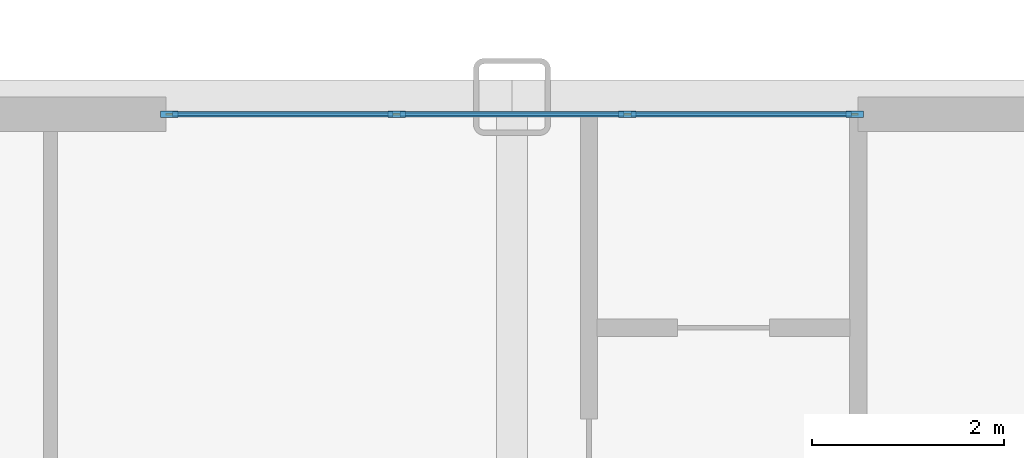
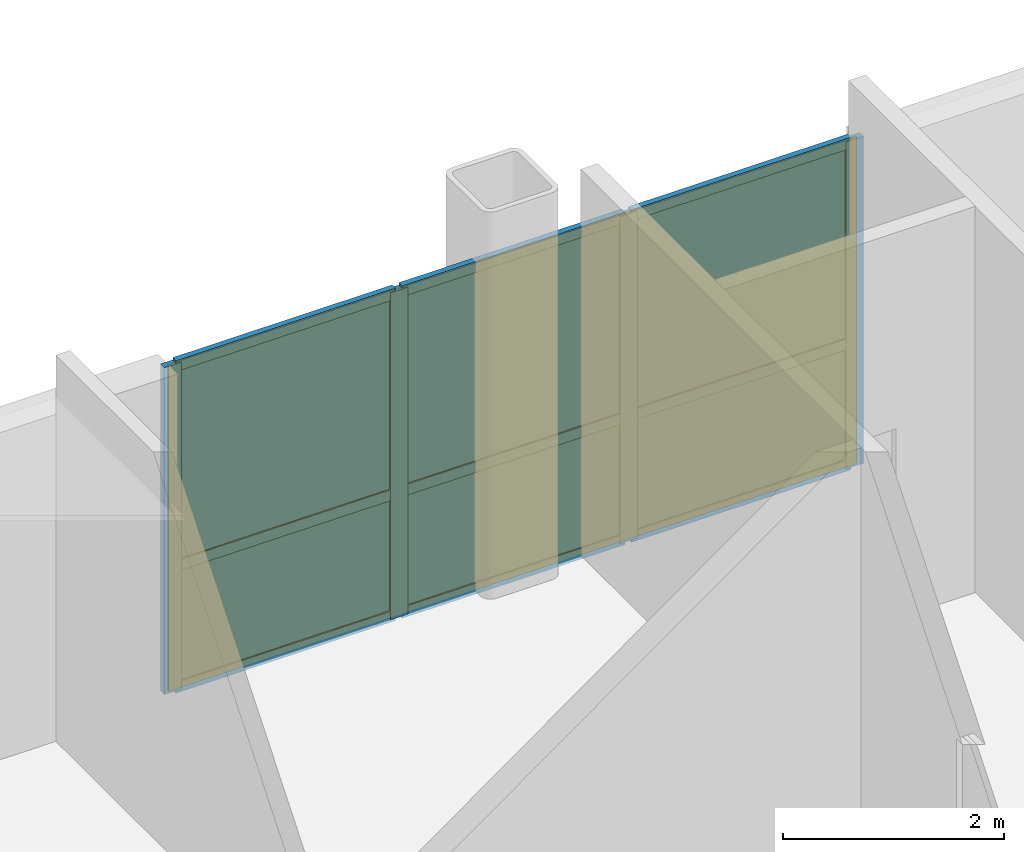
# One storey, part 11 of 15: 13 members, 6 plates, 1 curtain wall.
"""IFC4 building model written with IfcOpenShell, lengths in metres."""

from ifc_helpers import new_model, si_unit, direction, frame, frame_2d, origin, origin_2d, place, context, subcontext, project, spatial, rectangle, extrude, source, transform, mapped, material, layer, layer_set, material_profile, profile_set, type_object, type_shapes, element, aggregate, save


model = new_model("IFC4")

# Units and contexts
model_context = context("Model", 3, precision=1e-05, world=origin(), true_north=direction((0.0, 1.0)))
body_context = subcontext(model_context, "Body", "Model", "MODEL_VIEW")
ifc_project = project(units=[si_unit("LENGTHUNIT", "METRE"), si_unit("AREAUNIT", "SQUARE_METRE"), si_unit("VOLUMEUNIT", "CUBIC_METRE"), si_unit("PLANEANGLEUNIT", "RADIAN"), si_unit("MASSUNIT", "GRAM", prefix="KILO")], contexts=[model_context])

# Member
ifc_material_1 = material(Name="Anodised aluminium 6063-T6", Category="aluminium")
ifc_material_profile_1 = material_profile(ifc_material_1, rectangle(XDim=0.070068359375, YDim=0.179931640625, at=origin_2d()), Name="ALU-MULL-70x180")
ifc_profile_set_1 = profile_set([ifc_material_profile_1], Name="Anodised aluminium 6063-T6")
member_type_1 = type_object("IfcMemberType", Name="CWM-2", PredefinedType="MULLION", material=ifc_profile_set_1)
site_placement = place(None, origin())
building_placement = place(site_placement, origin())
storey_placement = place(building_placement, frame((0.0, 0.0, 4.60009765625)))
member_1_placement = place(storey_placement, frame((15.43505859375, 25.820068359375, 0.0), z_axis=(0.0, 0.0, 1.0), x_axis=(0.0, 1.0, 0.0)))
member_1 = element("IfcMember", 1, at=member_1_placement, type_object=member_type_1, Name="CWS-2 mullion 1", PredefinedType="MULLION", context=body_context, shape_type="SweptSolid", body=[
    extrude(rectangle(XDim=0.070068359375, YDim=0.179931640625, at=origin_2d()), origin(), (0.0, 0.0, 1.0), 3.614990234375),
])

member_2_placement = place(storey_placement, frame((17.800048828125, 25.820068359375, 0.0), z_axis=(0.0, 0.0, 1.0), x_axis=(0.0, 1.0, 0.0)))
member_2 = element("IfcMember", 2, at=member_2_placement, type_object=member_type_1, Name="CWS-2 mullion 2", PredefinedType="MULLION", context=body_context, shape_type="SweptSolid", body=[
    extrude(rectangle(XDim=0.070068359375, YDim=0.179931640625, at=origin_2d()), origin(), (0.0, 0.0, 1.0), 3.614990234375),
])

member_3_placement = place(storey_placement, frame((20.199951171875, 25.820068359375, 0.0), z_axis=(0.0, 0.0, 1.0), x_axis=(0.0, 1.0, 0.0)))
member_3 = element("IfcMember", 3, at=member_3_placement, type_object=member_type_1, Name="CWS-2 mullion 3", PredefinedType="MULLION", context=body_context, shape_type="SweptSolid", body=[
    extrude(rectangle(XDim=0.070068359375, YDim=0.179931640625, at=origin_2d()), origin(), (0.0, 0.0, 1.0), 3.614990234375),
])

member_4_placement = place(storey_placement, frame((22.56494140625, 25.820068359375, 0.0), z_axis=(0.0, 0.0, 1.0), x_axis=(0.0, 1.0, 0.0)))
member_4 = element("IfcMember", 4, at=member_4_placement, type_object=member_type_1, Name="CWS-2 mullion 4", PredefinedType="MULLION", context=body_context, shape_type="SweptSolid", body=[
    extrude(rectangle(XDim=0.070068359375, YDim=0.179931640625, at=origin_2d()), origin(), (0.0, 0.0, 1.0), 3.614990234375),
])

ifc_material_profile_2 = material_profile(ifc_material_1, rectangle(XDim=0.06005859375, YDim=0.1201171875, at=origin_2d()), Name="ALU-TRAN-60x120")
ifc_profile_set_2 = profile_set([ifc_material_profile_2], Name="Anodised aluminium 6063-T6")
member_type_2 = type_object("IfcMemberType", Name="CWT-2", PredefinedType="USERDEFINED", material=ifc_profile_set_2)
member_5_placement = place(storey_placement, frame((15.469970703125, 25.820068359375, 0.02978515625), z_axis=(1.0, 0.0, 0.0), x_axis=(0.0, 1.0, 0.0)))
member_5 = element("IfcMember", 5, at=member_5_placement, type_object=member_type_2, Name="CWS-2 transom 1.1", ObjectType="TRANSOM", PredefinedType="USERDEFINED", context=body_context, shape_type="SweptSolid", body=[
    extrude(rectangle(XDim=0.06005859375, YDim=0.1201171875, at=origin_2d()), origin(), (0.0, 0.0, 1.0), 2.294921875),
])

member_6_placement = place(storey_placement, frame((15.469970703125, 25.820068359375, 1.37353515625), z_axis=(1.0, 0.0, 0.0), x_axis=(0.0, 1.0, 0.0)))
member_6 = element("IfcMember", 6, at=member_6_placement, type_object=member_type_2, Name="CWS-2 transom 1.2", ObjectType="TRANSOM", PredefinedType="USERDEFINED", context=body_context, shape_type="SweptSolid", body=[
    extrude(rectangle(XDim=0.06005859375, YDim=0.1201171875, at=origin_2d()), origin(), (0.0, 0.0, 1.0), 2.294921875),
])

member_7_placement = place(storey_placement, frame((15.469970703125, 25.820068359375, 3.5849609375), z_axis=(1.0, 0.0, 0.0), x_axis=(0.0, 1.0, 0.0)))
member_7 = element("IfcMember", 7, at=member_7_placement, type_object=member_type_2, Name="CWS-2 transom 1.3", ObjectType="TRANSOM", PredefinedType="USERDEFINED", context=body_context, shape_type="SweptSolid", body=[
    extrude(rectangle(XDim=0.06005859375, YDim=0.1201171875, at=origin_2d()), origin(), (0.0, 0.0, 1.0), 2.294921875),
])

member_8_placement = place(storey_placement, frame((17.8349609375, 25.820068359375, 0.02978515625), z_axis=(1.0, 0.0, 0.0), x_axis=(0.0, 1.0, 0.0)))
member_8 = element("IfcMember", 8, at=member_8_placement, type_object=member_type_2, Name="CWS-2 transom 2.1", ObjectType="TRANSOM", PredefinedType="USERDEFINED", context=body_context, shape_type="SweptSolid", body=[
    extrude(rectangle(XDim=0.06005859375, YDim=0.1201171875, at=origin_2d()), origin(), (0.0, 0.0, 1.0), 2.330078125),
])

member_9_placement = place(storey_placement, frame((17.8349609375, 25.820068359375, 1.37353515625), z_axis=(1.0, 0.0, 0.0), x_axis=(0.0, 1.0, 0.0)))
member_9 = element("IfcMember", 9, at=member_9_placement, type_object=member_type_2, Name="CWS-2 transom 2.2", ObjectType="TRANSOM", PredefinedType="USERDEFINED", context=body_context, shape_type="SweptSolid", body=[
    extrude(rectangle(XDim=0.06005859375, YDim=0.1201171875, at=origin_2d()), origin(), (0.0, 0.0, 1.0), 2.330078125),
])

member_10_placement = place(storey_placement, frame((17.8349609375, 25.820068359375, 3.5849609375), z_axis=(1.0, 0.0, 0.0), x_axis=(0.0, 1.0, 0.0)))
member_10 = element("IfcMember", 10, at=member_10_placement, type_object=member_type_2, Name="CWS-2 transom 2.3", ObjectType="TRANSOM", PredefinedType="USERDEFINED", context=body_context, shape_type="SweptSolid", body=[
    extrude(rectangle(XDim=0.06005859375, YDim=0.1201171875, at=origin_2d()), origin(), (0.0, 0.0, 1.0), 2.330078125),
])

member_11_placement = place(storey_placement, frame((20.235107421875, 25.820068359375, 0.02978515625), z_axis=(1.0, 0.0, 0.0), x_axis=(0.0, 1.0, 0.0)))
member_11 = element("IfcMember", 11, at=member_11_placement, type_object=member_type_2, Name="CWS-2 transom 3.1", ObjectType="TRANSOM", PredefinedType="USERDEFINED", context=body_context, shape_type="SweptSolid", body=[
    extrude(rectangle(XDim=0.06005859375, YDim=0.1201171875, at=origin_2d()), origin(), (0.0, 0.0, 1.0), 2.294921875),
])

member_12_placement = place(storey_placement, frame((20.235107421875, 25.820068359375, 1.37353515625), z_axis=(1.0, 0.0, 0.0), x_axis=(0.0, 1.0, 0.0)))
member_12 = element("IfcMember", 12, at=member_12_placement, type_object=member_type_2, Name="CWS-2 transom 3.2", ObjectType="TRANSOM", PredefinedType="USERDEFINED", context=body_context, shape_type="SweptSolid", body=[
    extrude(rectangle(XDim=0.06005859375, YDim=0.1201171875, at=origin_2d()), origin(), (0.0, 0.0, 1.0), 2.294921875),
])

member_13_placement = place(storey_placement, frame((20.235107421875, 25.820068359375, 3.5849609375), z_axis=(1.0, 0.0, 0.0), x_axis=(0.0, 1.0, 0.0)))
member_13 = element("IfcMember", 13, at=member_13_placement, type_object=member_type_2, Name="CWS-2 transom 3.3", ObjectType="TRANSOM", PredefinedType="USERDEFINED", context=body_context, shape_type="SweptSolid", body=[
    extrude(rectangle(XDim=0.06005859375, YDim=0.1201171875, at=origin_2d()), origin(), (0.0, 0.0, 1.0), 2.294921875),
])

# Plate
ifc_material_2 = material(Name="Insulated solar-control glass", Category="glass")
ifc_layer_1 = layer(ifc_material_2, 0.030029296875, Name="CWP-2")
ifc_layer_set_1 = layer_set([ifc_layer_1], Name="Insulated solar-control glass")
plate_type = type_object("IfcPlateType", Name="CWP-2", PredefinedType="CURTAIN_PANEL", material=ifc_layer_set_1)
shared_shape_1 = source(origin(), body_context, "Body", "SweptSolid", [
    extrude(rectangle(XDim=2.294921875, YDim=0.030029296875, at=origin_2d()), origin(), (0.0, 0.0, 1.0), 1.28369140625),
])
plate_1_placement = place(storey_placement, frame((16.617431640625, 25.820068359375, 0.059814453125), z_axis=(0.0, 0.0, 1.0), x_axis=(1.0, 0.0, 0.0)))
plate_1 = element("IfcPlate", 14, at=plate_1_placement, type_object=plate_type, Name="CWS-2 panel 1.1", PredefinedType="CURTAIN_PANEL", context=body_context, shape_type="MappedRepresentation", body=[
    mapped(shared_shape_1, transform((0.0, 0.0, 0.0), scale=1.0)),
])

plate_2_placement = place(storey_placement, frame((21.382568359375, 25.820068359375, 0.059814453125), z_axis=(0.0, 0.0, 1.0), x_axis=(1.0, 0.0, 0.0)))
plate_2 = element("IfcPlate", 15, at=plate_2_placement, type_object=plate_type, Name="CWS-2 panel 3.1", PredefinedType="CURTAIN_PANEL", context=body_context, shape_type="MappedRepresentation", body=[
    mapped(shared_shape_1, transform((0.0, 0.0, 0.0), scale=1.0)),
])

shared_shape_2 = source(origin(), body_context, "Body", "SweptSolid", [
    extrude(rectangle(XDim=2.294921875, YDim=0.030029296875, at=origin_2d()), origin(), (0.0, 0.0, 1.0), 2.1513671875),
])
plate_3_placement = place(storey_placement, frame((16.617431640625, 25.820068359375, 1.403564453125), z_axis=(0.0, 0.0, 1.0), x_axis=(1.0, 0.0, 0.0)))
plate_3 = element("IfcPlate", 16, at=plate_3_placement, type_object=plate_type, Name="CWS-2 panel 1.2", PredefinedType="CURTAIN_PANEL", context=body_context, shape_type="MappedRepresentation", body=[
    mapped(shared_shape_2, transform((0.0, 0.0, 0.0), scale=1.0)),
])

plate_4_placement = place(storey_placement, frame((21.382568359375, 25.820068359375, 1.403564453125), z_axis=(0.0, 0.0, 1.0), x_axis=(1.0, 0.0, 0.0)))
plate_4 = element("IfcPlate", 17, at=plate_4_placement, type_object=plate_type, Name="CWS-2 panel 3.2", PredefinedType="CURTAIN_PANEL", context=body_context, shape_type="MappedRepresentation", body=[
    mapped(shared_shape_2, transform((0.0, 0.0, 0.0), scale=1.0)),
])

shared_shape_3 = source(origin(), body_context, "Body", "SweptSolid", [
    extrude(rectangle(XDim=2.330078125, YDim=0.030029296875, at=origin_2d()), origin(), (0.0, 0.0, 1.0), 1.28369140625),
])
plate_5_placement = place(storey_placement, frame((19.0, 25.820068359375, 0.059814453125), z_axis=(0.0, 0.0, 1.0), x_axis=(1.0, 0.0, 0.0)))
plate_5 = element("IfcPlate", 18, at=plate_5_placement, type_object=plate_type, Name="CWS-2 panel 2.1", PredefinedType="CURTAIN_PANEL", context=body_context, shape_type="MappedRepresentation", body=[
    mapped(shared_shape_3, transform((0.0, 0.0, 0.0), scale=1.0)),
])

shared_shape_4 = source(origin(), body_context, "Body", "SweptSolid", [
    extrude(rectangle(XDim=2.330078125, YDim=0.030029296875, at=origin_2d()), origin(), (0.0, 0.0, 1.0), 2.1513671875),
])
type_shapes(plate_type, [shared_shape_1, shared_shape_2, shared_shape_3, shared_shape_4])
plate_6_placement = place(storey_placement, frame((19.0, 25.820068359375, 1.403564453125), z_axis=(0.0, 0.0, 1.0), x_axis=(1.0, 0.0, 0.0)))
plate_6 = element("IfcPlate", 19, at=plate_6_placement, type_object=plate_type, Name="CWS-2 panel 2.2", PredefinedType="CURTAIN_PANEL", context=body_context, shape_type="MappedRepresentation", body=[
    mapped(shared_shape_4, transform((0.0, 0.0, 0.0), scale=1.0)),
])

# Site, building, storey
site = spatial("IfcSite", under=ifc_project, at=site_placement, CompositionType="ELEMENT")
building = spatial("IfcBuilding", under=site, at=building_placement, Name="Nuvemarco Arch Tower", CompositionType="ELEMENT")
storey = spatial("IfcBuildingStorey", under=building, at=storey_placement, Name="L01", CompositionType="ELEMENT", Elevation=4.60009765625)

# Curtain wall
ifc_layer_2 = layer(ifc_material_2, 0.179931640625, Name="CW-SYS-2")
ifc_layer_set_2 = layer_set([ifc_layer_2], Name="Insulated solar-control glass")
curtain_wall_type = type_object("IfcCurtainWallType", Name="CW-SYS-2", PredefinedType="NOTDEFINED", material=ifc_layer_set_2)
curtain_wall_placement = place(storey_placement, frame((15.39990234375, 25.820068359375, 0.0), z_axis=(0.0, 0.0, 1.0), x_axis=(1.0, 0.0, 0.0)))
curtain_wall = element("IfcCurtainWall", 20, at=curtain_wall_placement, inside=storey, type_object=curtain_wall_type, Name="L01 curtain wall CWS-2", PredefinedType="NOTDEFINED", context=body_context, shape_type="SweptSolid", body=[
    extrude(rectangle(XDim=7.2001953125, YDim=0.02001953125, at=frame_2d((3.60009765625, 0.0))), origin(), (0.0, 0.0, 1.0), 3.614990234375),
])

aggregate(curtain_wall, [member_1, member_2, member_3, member_4, member_5, member_6, member_7, plate_1, plate_3, member_8, member_9, member_10, plate_5, plate_6, member_11, member_12, member_13, plate_2, plate_4])

save(model, "model.ifc")
